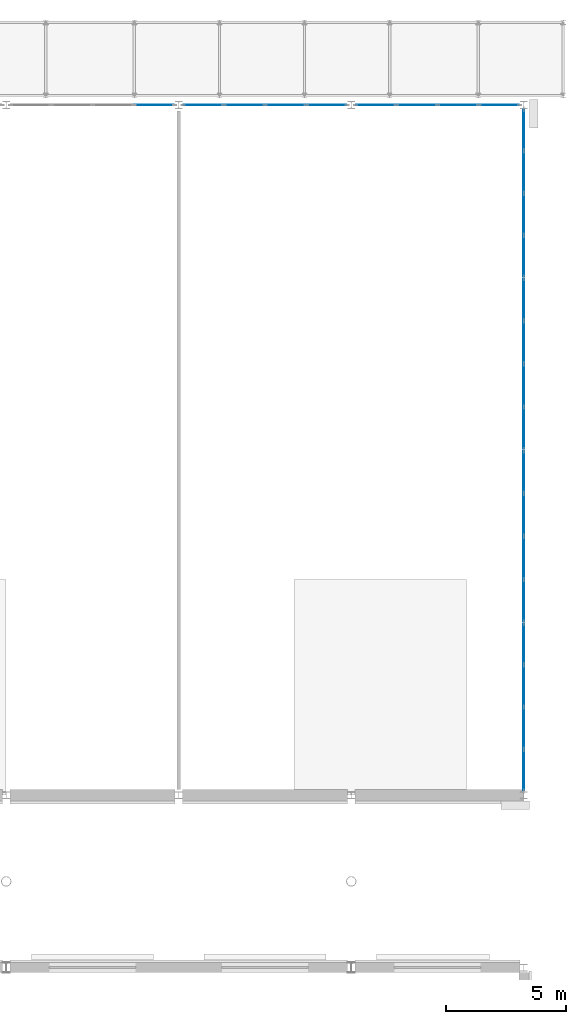
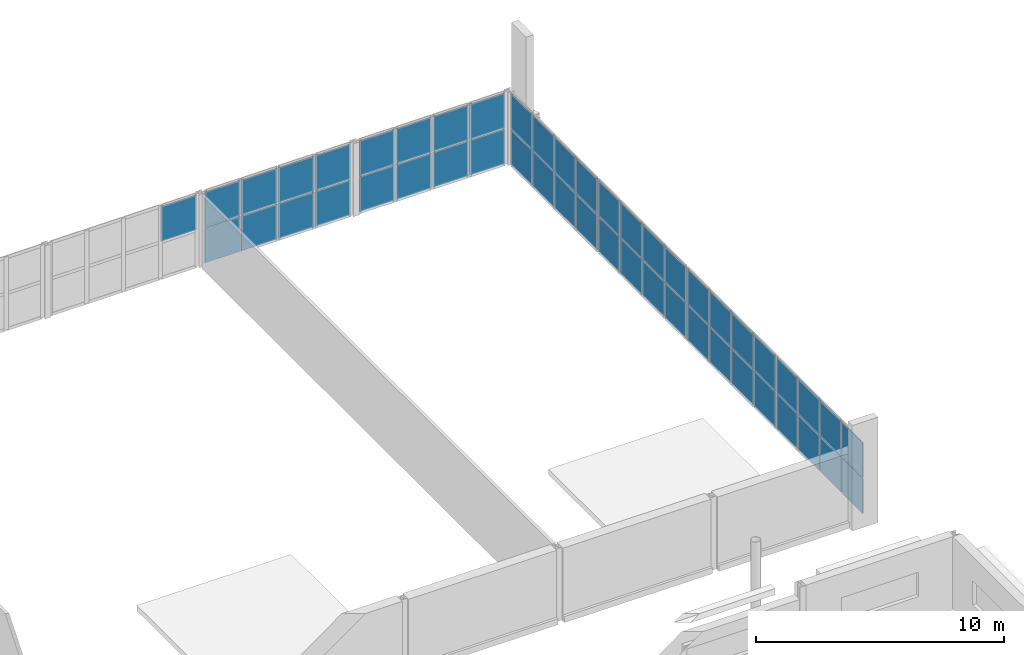
# One storey, part 62 of 124: 49 plates, 7 elements without a shape of their own.
"""IFC4 building model written with IfcOpenShell, lengths in metres."""

from ifc_helpers import new_model, si_unit, direction, frame, origin, origin_2d, place, context, subcontext, project, spatial, rectangle, extrude, material, layer, layer_set, type_object, element, aggregate, save


model = new_model("IFC4")

# Units and contexts
model_context = context("Model", 3, precision=1e-05, world=origin(), true_north=direction((0.0, 1.0)))
body_context = subcontext(model_context, "Body", "Model", "MODEL_VIEW")
ifc_project = project(units=[si_unit("LENGTHUNIT", "METRE"), si_unit("AREAUNIT", "SQUARE_METRE"), si_unit("VOLUMEUNIT", "CUBIC_METRE"), si_unit("PLANEANGLEUNIT", "RADIAN"), si_unit("MASSUNIT", "GRAM", prefix="KILO")], contexts=[model_context])

# Site, building, storey
site_placement = place(None, origin())
site = spatial("IfcSite", under=ifc_project, at=site_placement, CompositionType="ELEMENT")
building_placement = place(site_placement, origin())
building = spatial("IfcBuilding", under=site, at=building_placement, Name="Kupolbacken Congress Centre", CompositionType="ELEMENT")
storey_placement = place(building_placement, frame((0.0, 0.0, 10.800048828125)))
storey = spatial("IfcBuildingStorey", under=building, at=storey_placement, Name="L03", CompositionType="ELEMENT", Elevation=10.800048828125)

# Curtain wall, plates
ifc_material_1 = material(Name="Aluminium mullion-transom frame with glass", Category="aluminium")
curtain_wall_type = type_object("IfcCurtainWallType", Name="CW1 curtain wall 7200x3600", PredefinedType="NOTDEFINED", material=ifc_material_1)
curtain_wall_1_placement = place(storey_placement, origin())
curtain_wall_1 = element("IfcCurtainWall", 1, at=curtain_wall_1_placement, inside=storey, type_object=curtain_wall_type, Name="E/B/E/L03/297", PredefinedType="NOTDEFINED")
ifc_material_2 = material(Name="Glass", Category="glass")
ifc_layer = layer(ifc_material_2, 0.035888671875)
ifc_layer_set = layer_set([ifc_layer], Name="Glass")
plate_type = type_object("IfcPlateType", Name="GL2 glass panel 36", PredefinedType="CURTAIN_PANEL", material=ifc_layer_set)
plate_1_placement = place(storey_placement, frame((201.60009765625, 123.44384765625, 0.0498046875), z_axis=(0.0, 0.0, 1.0), x_axis=(0.0, 1.0, 0.0)))
plate_1 = element("IfcPlate", 2, at=plate_1_placement, type_object=plate_type, Name="CW1 panel 1.1", PredefinedType="CURTAIN_PANEL", context=body_context, shape_type="SweptSolid", body=[
    extrude(rectangle(XDim=1.6875, YDim=0.035888671875, at=origin_2d()), origin(), (0.0, 0.0, 1.0), 1.72509765625),
])
plate_2_placement = place(storey_placement, frame((201.60009765625, 123.44384765625, 1.824951171875), z_axis=(0.0, 0.0, 1.0), x_axis=(0.0, 1.0, 0.0)))
plate_2 = element("IfcPlate", 3, at=plate_2_placement, type_object=plate_type, Name="CW1 panel 1.2", PredefinedType="CURTAIN_PANEL", context=body_context, shape_type="SweptSolid", body=[
    extrude(rectangle(XDim=1.6875, YDim=0.035888671875, at=origin_2d()), origin(), (0.0, 0.0, 1.0), 1.72509765625),
])
plate_3_placement = place(storey_placement, frame((201.60009765625, 125.19384765625, 0.0498046875), z_axis=(0.0, 0.0, 1.0), x_axis=(0.0, 1.0, 0.0)))
plate_3 = element("IfcPlate", 4, at=plate_3_placement, type_object=plate_type, Name="CW1 panel 2.1", PredefinedType="CURTAIN_PANEL", context=body_context, shape_type="SweptSolid", body=[
    extrude(rectangle(XDim=1.71240234375, YDim=0.035888671875, at=origin_2d()), origin(), (0.0, 0.0, 1.0), 1.72509765625),
])
plate_4_placement = place(storey_placement, frame((201.60009765625, 125.19384765625, 1.824951171875), z_axis=(0.0, 0.0, 1.0), x_axis=(0.0, 1.0, 0.0)))
plate_4 = element("IfcPlate", 5, at=plate_4_placement, type_object=plate_type, Name="CW1 panel 2.2", PredefinedType="CURTAIN_PANEL", context=body_context, shape_type="SweptSolid", body=[
    extrude(rectangle(XDim=1.71240234375, YDim=0.035888671875, at=origin_2d()), origin(), (0.0, 0.0, 1.0), 1.72509765625),
])
plate_5_placement = place(storey_placement, frame((201.60009765625, 126.956298828125, 0.0498046875), z_axis=(0.0, 0.0, 1.0), x_axis=(0.0, 1.0, 0.0)))
plate_5 = element("IfcPlate", 6, at=plate_5_placement, type_object=plate_type, Name="CW1 panel 3.1", PredefinedType="CURTAIN_PANEL", context=body_context, shape_type="SweptSolid", body=[
    extrude(rectangle(XDim=1.71240234375, YDim=0.035888671875, at=origin_2d()), origin(), (0.0, 0.0, 1.0), 1.72509765625),
])
plate_6_placement = place(storey_placement, frame((201.60009765625, 126.956298828125, 1.824951171875), z_axis=(0.0, 0.0, 1.0), x_axis=(0.0, 1.0, 0.0)))
plate_6 = element("IfcPlate", 7, at=plate_6_placement, type_object=plate_type, Name="CW1 panel 3.2", PredefinedType="CURTAIN_PANEL", context=body_context, shape_type="SweptSolid", body=[
    extrude(rectangle(XDim=1.71240234375, YDim=0.035888671875, at=origin_2d()), origin(), (0.0, 0.0, 1.0), 1.72509765625),
])
plate_7_placement = place(storey_placement, frame((201.60009765625, 128.706298828125, 0.0498046875), z_axis=(0.0, 0.0, 1.0), x_axis=(0.0, 1.0, 0.0)))
plate_7 = element("IfcPlate", 8, at=plate_7_placement, type_object=plate_type, Name="CW1 panel 4.1", PredefinedType="CURTAIN_PANEL", context=body_context, shape_type="SweptSolid", body=[
    extrude(rectangle(XDim=1.6875, YDim=0.035888671875, at=origin_2d()), origin(), (0.0, 0.0, 1.0), 1.72509765625),
])
plate_8_placement = place(storey_placement, frame((201.60009765625, 128.706298828125, 1.824951171875), z_axis=(0.0, 0.0, 1.0), x_axis=(0.0, 1.0, 0.0)))
plate_8 = element("IfcPlate", 9, at=plate_8_placement, type_object=plate_type, Name="CW1 panel 4.2", PredefinedType="CURTAIN_PANEL", context=body_context, shape_type="SweptSolid", body=[
    extrude(rectangle(XDim=1.6875, YDim=0.035888671875, at=origin_2d()), origin(), (0.0, 0.0, 1.0), 1.72509765625),
])
aggregate(curtain_wall_1, [plate_1, plate_2, plate_3, plate_4, plate_5, plate_6, plate_7, plate_8])

curtain_wall_2_placement = place(storey_placement, origin())
curtain_wall_2 = element("IfcCurtainWall", 10, at=curtain_wall_2_placement, inside=storey, type_object=curtain_wall_type, Name="E/B/E/L03/298", PredefinedType="NOTDEFINED")
plate_9_placement = place(storey_placement, frame((201.60009765625, 130.512451171875, 0.0498046875), z_axis=(0.0, 0.0, 1.0), x_axis=(0.0, 1.0, 0.0)))
plate_9 = element("IfcPlate", 11, at=plate_9_placement, type_object=plate_type, Name="CW1 panel 1.1", PredefinedType="CURTAIN_PANEL", context=body_context, shape_type="SweptSolid", body=[
    extrude(rectangle(XDim=1.72509765625, YDim=0.035888671875, at=origin_2d()), origin(), (0.0, 0.0, 1.0), 1.72509765625),
])
plate_10_placement = place(storey_placement, frame((201.60009765625, 130.512451171875, 1.824951171875), z_axis=(0.0, 0.0, 1.0), x_axis=(0.0, 1.0, 0.0)))
plate_10 = element("IfcPlate", 12, at=plate_10_placement, type_object=plate_type, Name="CW1 panel 1.2", PredefinedType="CURTAIN_PANEL", context=body_context, shape_type="SweptSolid", body=[
    extrude(rectangle(XDim=1.72509765625, YDim=0.035888671875, at=origin_2d()), origin(), (0.0, 0.0, 1.0), 1.72509765625),
])
plate_11_placement = place(storey_placement, frame((201.60009765625, 132.300048828125, 0.0498046875), z_axis=(0.0, 0.0, 1.0), x_axis=(0.0, 1.0, 0.0)))
plate_11 = element("IfcPlate", 13, at=plate_11_placement, type_object=plate_type, Name="CW1 panel 2.1", PredefinedType="CURTAIN_PANEL", context=body_context, shape_type="SweptSolid", body=[
    extrude(rectangle(XDim=1.75, YDim=0.035888671875, at=origin_2d()), origin(), (0.0, 0.0, 1.0), 1.72509765625),
])
plate_12_placement = place(storey_placement, frame((201.60009765625, 132.300048828125, 1.824951171875), z_axis=(0.0, 0.0, 1.0), x_axis=(0.0, 1.0, 0.0)))
plate_12 = element("IfcPlate", 14, at=plate_12_placement, type_object=plate_type, Name="CW1 panel 2.2", PredefinedType="CURTAIN_PANEL", context=body_context, shape_type="SweptSolid", body=[
    extrude(rectangle(XDim=1.75, YDim=0.035888671875, at=origin_2d()), origin(), (0.0, 0.0, 1.0), 1.72509765625),
])
plate_13_placement = place(storey_placement, frame((201.60009765625, 134.10009765625, 0.0498046875), z_axis=(0.0, 0.0, 1.0), x_axis=(0.0, 1.0, 0.0)))
plate_13 = element("IfcPlate", 15, at=plate_13_placement, type_object=plate_type, Name="CW1 panel 3.1", PredefinedType="CURTAIN_PANEL", context=body_context, shape_type="SweptSolid", body=[
    extrude(rectangle(XDim=1.75, YDim=0.035888671875, at=origin_2d()), origin(), (0.0, 0.0, 1.0), 1.72509765625),
])
plate_14_placement = place(storey_placement, frame((201.60009765625, 134.10009765625, 1.824951171875), z_axis=(0.0, 0.0, 1.0), x_axis=(0.0, 1.0, 0.0)))
plate_14 = element("IfcPlate", 16, at=plate_14_placement, type_object=plate_type, Name="CW1 panel 3.2", PredefinedType="CURTAIN_PANEL", context=body_context, shape_type="SweptSolid", body=[
    extrude(rectangle(XDim=1.75, YDim=0.035888671875, at=origin_2d()), origin(), (0.0, 0.0, 1.0), 1.72509765625),
])
plate_15_placement = place(storey_placement, frame((201.60009765625, 135.887451171875, 0.0498046875), z_axis=(0.0, 0.0, 1.0), x_axis=(0.0, 1.0, 0.0)))
plate_15 = element("IfcPlate", 17, at=plate_15_placement, type_object=plate_type, Name="CW1 panel 4.1", PredefinedType="CURTAIN_PANEL", context=body_context, shape_type="SweptSolid", body=[
    extrude(rectangle(XDim=1.72509765625, YDim=0.035888671875, at=origin_2d()), origin(), (0.0, 0.0, 1.0), 1.72509765625),
])
plate_16_placement = place(storey_placement, frame((201.60009765625, 135.887451171875, 1.824951171875), z_axis=(0.0, 0.0, 1.0), x_axis=(0.0, 1.0, 0.0)))
plate_16 = element("IfcPlate", 18, at=plate_16_placement, type_object=plate_type, Name="CW1 panel 4.2", PredefinedType="CURTAIN_PANEL", context=body_context, shape_type="SweptSolid", body=[
    extrude(rectangle(XDim=1.72509765625, YDim=0.035888671875, at=origin_2d()), origin(), (0.0, 0.0, 1.0), 1.72509765625),
])
aggregate(curtain_wall_2, [plate_9, plate_10, plate_11, plate_12, plate_13, plate_14, plate_15, plate_16])

curtain_wall_3_placement = place(storey_placement, origin())
curtain_wall_3 = element("IfcCurtainWall", 19, at=curtain_wall_3_placement, inside=storey, type_object=curtain_wall_type, Name="E/B/E/L03/299", PredefinedType="NOTDEFINED")
plate_17_placement = place(storey_placement, frame((201.60009765625, 137.71240234375, 0.0498046875), z_axis=(0.0, 0.0, 1.0), x_axis=(0.0, 1.0, 0.0)))
plate_17 = element("IfcPlate", 20, at=plate_17_placement, type_object=plate_type, Name="CW1 panel 1.1", PredefinedType="CURTAIN_PANEL", context=body_context, shape_type="SweptSolid", body=[
    extrude(rectangle(XDim=1.72509765625, YDim=0.035888671875, at=origin_2d()), origin(), (0.0, 0.0, 1.0), 1.72509765625),
])
plate_18_placement = place(storey_placement, frame((201.60009765625, 137.71240234375, 1.824951171875), z_axis=(0.0, 0.0, 1.0), x_axis=(0.0, 1.0, 0.0)))
plate_18 = element("IfcPlate", 21, at=plate_18_placement, type_object=plate_type, Name="CW1 panel 1.2", PredefinedType="CURTAIN_PANEL", context=body_context, shape_type="SweptSolid", body=[
    extrude(rectangle(XDim=1.72509765625, YDim=0.035888671875, at=origin_2d()), origin(), (0.0, 0.0, 1.0), 1.72509765625),
])
plate_19_placement = place(storey_placement, frame((201.60009765625, 139.5, 0.0498046875), z_axis=(0.0, 0.0, 1.0), x_axis=(0.0, 1.0, 0.0)))
plate_19 = element("IfcPlate", 22, at=plate_19_placement, type_object=plate_type, Name="CW1 panel 2.1", PredefinedType="CURTAIN_PANEL", context=body_context, shape_type="SweptSolid", body=[
    extrude(rectangle(XDim=1.75, YDim=0.035888671875, at=origin_2d()), origin(), (0.0, 0.0, 1.0), 1.72509765625),
])
plate_20_placement = place(storey_placement, frame((201.60009765625, 139.5, 1.824951171875), z_axis=(0.0, 0.0, 1.0), x_axis=(0.0, 1.0, 0.0)))
plate_20 = element("IfcPlate", 23, at=plate_20_placement, type_object=plate_type, Name="CW1 panel 2.2", PredefinedType="CURTAIN_PANEL", context=body_context, shape_type="SweptSolid", body=[
    extrude(rectangle(XDim=1.75, YDim=0.035888671875, at=origin_2d()), origin(), (0.0, 0.0, 1.0), 1.72509765625),
])
plate_21_placement = place(storey_placement, frame((201.60009765625, 141.300048828125, 0.0498046875), z_axis=(0.0, 0.0, 1.0), x_axis=(0.0, 1.0, 0.0)))
plate_21 = element("IfcPlate", 24, at=plate_21_placement, type_object=plate_type, Name="CW1 panel 3.1", PredefinedType="CURTAIN_PANEL", context=body_context, shape_type="SweptSolid", body=[
    extrude(rectangle(XDim=1.75, YDim=0.035888671875, at=origin_2d()), origin(), (0.0, 0.0, 1.0), 1.72509765625),
])
plate_22_placement = place(storey_placement, frame((201.60009765625, 141.300048828125, 1.824951171875), z_axis=(0.0, 0.0, 1.0), x_axis=(0.0, 1.0, 0.0)))
plate_22 = element("IfcPlate", 25, at=plate_22_placement, type_object=plate_type, Name="CW1 panel 3.2", PredefinedType="CURTAIN_PANEL", context=body_context, shape_type="SweptSolid", body=[
    extrude(rectangle(XDim=1.75, YDim=0.035888671875, at=origin_2d()), origin(), (0.0, 0.0, 1.0), 1.72509765625),
])
plate_23_placement = place(storey_placement, frame((201.60009765625, 143.08740234375, 0.0498046875), z_axis=(0.0, 0.0, 1.0), x_axis=(0.0, 1.0, 0.0)))
plate_23 = element("IfcPlate", 26, at=plate_23_placement, type_object=plate_type, Name="CW1 panel 4.1", PredefinedType="CURTAIN_PANEL", context=body_context, shape_type="SweptSolid", body=[
    extrude(rectangle(XDim=1.72509765625, YDim=0.035888671875, at=origin_2d()), origin(), (0.0, 0.0, 1.0), 1.72509765625),
])
plate_24_placement = place(storey_placement, frame((201.60009765625, 143.08740234375, 1.824951171875), z_axis=(0.0, 0.0, 1.0), x_axis=(0.0, 1.0, 0.0)))
plate_24 = element("IfcPlate", 27, at=plate_24_placement, type_object=plate_type, Name="CW1 panel 4.2", PredefinedType="CURTAIN_PANEL", context=body_context, shape_type="SweptSolid", body=[
    extrude(rectangle(XDim=1.72509765625, YDim=0.035888671875, at=origin_2d()), origin(), (0.0, 0.0, 1.0), 1.72509765625),
])
aggregate(curtain_wall_3, [plate_17, plate_18, plate_19, plate_20, plate_21, plate_22, plate_23, plate_24])

curtain_wall_4_placement = place(storey_placement, origin())
curtain_wall_4 = element("IfcCurtainWall", 28, at=curtain_wall_4_placement, inside=storey, type_object=curtain_wall_type, Name="E/B/E/L03/300", PredefinedType="NOTDEFINED")
plate_25_placement = place(storey_placement, frame((201.60009765625, 144.893798828125, 0.0498046875), z_axis=(0.0, 0.0, 1.0), x_axis=(0.0, 1.0, 0.0)))
plate_25 = element("IfcPlate", 29, at=plate_25_placement, type_object=plate_type, Name="CW1 panel 1.1", PredefinedType="CURTAIN_PANEL", context=body_context, shape_type="SweptSolid", body=[
    extrude(rectangle(XDim=1.6875, YDim=0.035888671875, at=origin_2d()), origin(), (0.0, 0.0, 1.0), 1.72509765625),
])
plate_26_placement = place(storey_placement, frame((201.60009765625, 144.893798828125, 1.824951171875), z_axis=(0.0, 0.0, 1.0), x_axis=(0.0, 1.0, 0.0)))
plate_26 = element("IfcPlate", 30, at=plate_26_placement, type_object=plate_type, Name="CW1 panel 1.2", PredefinedType="CURTAIN_PANEL", context=body_context, shape_type="SweptSolid", body=[
    extrude(rectangle(XDim=1.6875, YDim=0.035888671875, at=origin_2d()), origin(), (0.0, 0.0, 1.0), 1.72509765625),
])
plate_27_placement = place(storey_placement, frame((201.60009765625, 146.643798828125, 0.0498046875), z_axis=(0.0, 0.0, 1.0), x_axis=(0.0, 1.0, 0.0)))
plate_27 = element("IfcPlate", 31, at=plate_27_placement, type_object=plate_type, Name="CW1 panel 2.1", PredefinedType="CURTAIN_PANEL", context=body_context, shape_type="SweptSolid", body=[
    extrude(rectangle(XDim=1.71240234375, YDim=0.035888671875, at=origin_2d()), origin(), (0.0, 0.0, 1.0), 1.72509765625),
])
plate_28_placement = place(storey_placement, frame((201.60009765625, 146.643798828125, 1.824951171875), z_axis=(0.0, 0.0, 1.0), x_axis=(0.0, 1.0, 0.0)))
plate_28 = element("IfcPlate", 32, at=plate_28_placement, type_object=plate_type, Name="CW1 panel 2.2", PredefinedType="CURTAIN_PANEL", context=body_context, shape_type="SweptSolid", body=[
    extrude(rectangle(XDim=1.71240234375, YDim=0.035888671875, at=origin_2d()), origin(), (0.0, 0.0, 1.0), 1.72509765625),
])
plate_29_placement = place(storey_placement, frame((201.60009765625, 148.40625, 0.0498046875), z_axis=(0.0, 0.0, 1.0), x_axis=(0.0, 1.0, 0.0)))
plate_29 = element("IfcPlate", 33, at=plate_29_placement, type_object=plate_type, Name="CW1 panel 3.1", PredefinedType="CURTAIN_PANEL", context=body_context, shape_type="SweptSolid", body=[
    extrude(rectangle(XDim=1.71240234375, YDim=0.035888671875, at=origin_2d()), origin(), (0.0, 0.0, 1.0), 1.72509765625),
])
plate_30_placement = place(storey_placement, frame((201.60009765625, 148.40625, 1.824951171875), z_axis=(0.0, 0.0, 1.0), x_axis=(0.0, 1.0, 0.0)))
plate_30 = element("IfcPlate", 34, at=plate_30_placement, type_object=plate_type, Name="CW1 panel 3.2", PredefinedType="CURTAIN_PANEL", context=body_context, shape_type="SweptSolid", body=[
    extrude(rectangle(XDim=1.71240234375, YDim=0.035888671875, at=origin_2d()), origin(), (0.0, 0.0, 1.0), 1.72509765625),
])
plate_31_placement = place(storey_placement, frame((201.60009765625, 150.15625, 0.0498046875), z_axis=(0.0, 0.0, 1.0), x_axis=(0.0, 1.0, 0.0)))
plate_31 = element("IfcPlate", 35, at=plate_31_placement, type_object=plate_type, Name="CW1 panel 4.1", PredefinedType="CURTAIN_PANEL", context=body_context, shape_type="SweptSolid", body=[
    extrude(rectangle(XDim=1.6875, YDim=0.035888671875, at=origin_2d()), origin(), (0.0, 0.0, 1.0), 1.72509765625),
])
plate_32_placement = place(storey_placement, frame((201.60009765625, 150.15625, 1.824951171875), z_axis=(0.0, 0.0, 1.0), x_axis=(0.0, 1.0, 0.0)))
plate_32 = element("IfcPlate", 36, at=plate_32_placement, type_object=plate_type, Name="CW1 panel 4.2", PredefinedType="CURTAIN_PANEL", context=body_context, shape_type="SweptSolid", body=[
    extrude(rectangle(XDim=1.6875, YDim=0.035888671875, at=origin_2d()), origin(), (0.0, 0.0, 1.0), 1.72509765625),
])
aggregate(curtain_wall_4, [plate_25, plate_26, plate_27, plate_28, plate_29, plate_30, plate_31, plate_32])

curtain_wall_5_placement = place(storey_placement, origin())
curtain_wall_5 = element("IfcCurtainWall", 37, at=curtain_wall_5_placement, inside=storey, type_object=curtain_wall_type, Name="E/B/N/L03/301", PredefinedType="NOTDEFINED")
plate_33_placement = place(storey_placement, frame((200.574951171875, 151.199951171875, 0.0498046875), z_axis=(0.0, 0.0, 1.0), x_axis=(-1.0, 0.0, 0.0)))
plate_33 = element("IfcPlate", 38, at=plate_33_placement, type_object=plate_type, Name="CW1 panel 1.1", PredefinedType="CURTAIN_PANEL", context=body_context, shape_type="SweptSolid", body=[
    extrude(rectangle(XDim=1.64990234375, YDim=0.035888671875, at=origin_2d()), origin(), (0.0, 0.0, 1.0), 1.72509765625),
])
plate_34_placement = place(storey_placement, frame((200.574951171875, 151.199951171875, 1.824951171875), z_axis=(0.0, 0.0, 1.0), x_axis=(-1.0, 0.0, 0.0)))
plate_34 = element("IfcPlate", 39, at=plate_34_placement, type_object=plate_type, Name="CW1 panel 1.2", PredefinedType="CURTAIN_PANEL", context=body_context, shape_type="SweptSolid", body=[
    extrude(rectangle(XDim=1.64990234375, YDim=0.035888671875, at=origin_2d()), origin(), (0.0, 0.0, 1.0), 1.72509765625),
])
plate_35_placement = place(storey_placement, frame((198.862548828125, 151.199951171875, 0.0498046875), z_axis=(0.0, 0.0, 1.0), x_axis=(-1.0, 0.0, 0.0)))
plate_35 = element("IfcPlate", 40, at=plate_35_placement, type_object=plate_type, Name="CW1 panel 2.1", PredefinedType="CURTAIN_PANEL", context=body_context, shape_type="SweptSolid", body=[
    extrude(rectangle(XDim=1.675048828125, YDim=0.035888671875, at=origin_2d()), origin(), (0.0, 0.0, 1.0), 1.72509765625),
])
plate_36_placement = place(storey_placement, frame((198.862548828125, 151.199951171875, 1.824951171875), z_axis=(0.0, 0.0, 1.0), x_axis=(-1.0, 0.0, 0.0)))
plate_36 = element("IfcPlate", 41, at=plate_36_placement, type_object=plate_type, Name="CW1 panel 2.2", PredefinedType="CURTAIN_PANEL", context=body_context, shape_type="SweptSolid", body=[
    extrude(rectangle(XDim=1.675048828125, YDim=0.035888671875, at=origin_2d()), origin(), (0.0, 0.0, 1.0), 1.72509765625),
])
plate_37_placement = place(storey_placement, frame((197.137451171875, 151.199951171875, 0.0498046875), z_axis=(0.0, 0.0, 1.0), x_axis=(-1.0, 0.0, 0.0)))
plate_37 = element("IfcPlate", 42, at=plate_37_placement, type_object=plate_type, Name="CW1 panel 3.1", PredefinedType="CURTAIN_PANEL", context=body_context, shape_type="SweptSolid", body=[
    extrude(rectangle(XDim=1.675048828125, YDim=0.035888671875, at=origin_2d()), origin(), (0.0, 0.0, 1.0), 1.72509765625),
])
plate_38_placement = place(storey_placement, frame((197.137451171875, 151.199951171875, 1.824951171875), z_axis=(0.0, 0.0, 1.0), x_axis=(-1.0, 0.0, 0.0)))
plate_38 = element("IfcPlate", 43, at=plate_38_placement, type_object=plate_type, Name="CW1 panel 3.2", PredefinedType="CURTAIN_PANEL", context=body_context, shape_type="SweptSolid", body=[
    extrude(rectangle(XDim=1.675048828125, YDim=0.035888671875, at=origin_2d()), origin(), (0.0, 0.0, 1.0), 1.72509765625),
])
plate_39_placement = place(storey_placement, frame((195.425048828125, 151.199951171875, 0.0498046875), z_axis=(0.0, 0.0, 1.0), x_axis=(-1.0, 0.0, 0.0)))
plate_39 = element("IfcPlate", 44, at=plate_39_placement, type_object=plate_type, Name="CW1 panel 4.1", PredefinedType="CURTAIN_PANEL", context=body_context, shape_type="SweptSolid", body=[
    extrude(rectangle(XDim=1.64990234375, YDim=0.035888671875, at=origin_2d()), origin(), (0.0, 0.0, 1.0), 1.72509765625),
])
plate_40_placement = place(storey_placement, frame((195.425048828125, 151.199951171875, 1.824951171875), z_axis=(0.0, 0.0, 1.0), x_axis=(-1.0, 0.0, 0.0)))
plate_40 = element("IfcPlate", 45, at=plate_40_placement, type_object=plate_type, Name="CW1 panel 4.2", PredefinedType="CURTAIN_PANEL", context=body_context, shape_type="SweptSolid", body=[
    extrude(rectangle(XDim=1.64990234375, YDim=0.035888671875, at=origin_2d()), origin(), (0.0, 0.0, 1.0), 1.72509765625),
])
aggregate(curtain_wall_5, [plate_33, plate_34, plate_35, plate_36, plate_37, plate_38, plate_39, plate_40])

curtain_wall_6_placement = place(storey_placement, origin())
curtain_wall_6 = element("IfcCurtainWall", 46, at=curtain_wall_6_placement, inside=storey, type_object=curtain_wall_type, Name="E/B/N/L03/302", PredefinedType="NOTDEFINED")
plate_41_placement = place(storey_placement, frame((193.375, 151.199951171875, 0.0498046875), z_axis=(0.0, 0.0, 1.0), x_axis=(-1.0, 0.0, 0.0)))
plate_41 = element("IfcPlate", 47, at=plate_41_placement, type_object=plate_type, Name="CW1 panel 1.1", PredefinedType="CURTAIN_PANEL", context=body_context, shape_type="SweptSolid", body=[
    extrude(rectangle(XDim=1.64990234375, YDim=0.035888671875, at=origin_2d()), origin(), (0.0, 0.0, 1.0), 1.72509765625),
])
plate_42_placement = place(storey_placement, frame((193.375, 151.199951171875, 1.824951171875), z_axis=(0.0, 0.0, 1.0), x_axis=(-1.0, 0.0, 0.0)))
plate_42 = element("IfcPlate", 48, at=plate_42_placement, type_object=plate_type, Name="CW1 panel 1.2", PredefinedType="CURTAIN_PANEL", context=body_context, shape_type="SweptSolid", body=[
    extrude(rectangle(XDim=1.64990234375, YDim=0.035888671875, at=origin_2d()), origin(), (0.0, 0.0, 1.0), 1.72509765625),
])
plate_43_placement = place(storey_placement, frame((191.66259765625, 151.199951171875, 0.0498046875), z_axis=(0.0, 0.0, 1.0), x_axis=(-1.0, 0.0, 0.0)))
plate_43 = element("IfcPlate", 49, at=plate_43_placement, type_object=plate_type, Name="CW1 panel 2.1", PredefinedType="CURTAIN_PANEL", context=body_context, shape_type="SweptSolid", body=[
    extrude(rectangle(XDim=1.675048828125, YDim=0.035888671875, at=origin_2d()), origin(), (0.0, 0.0, 1.0), 1.72509765625),
])
plate_44_placement = place(storey_placement, frame((191.66259765625, 151.199951171875, 1.824951171875), z_axis=(0.0, 0.0, 1.0), x_axis=(-1.0, 0.0, 0.0)))
plate_44 = element("IfcPlate", 50, at=plate_44_placement, type_object=plate_type, Name="CW1 panel 2.2", PredefinedType="CURTAIN_PANEL", context=body_context, shape_type="SweptSolid", body=[
    extrude(rectangle(XDim=1.675048828125, YDim=0.035888671875, at=origin_2d()), origin(), (0.0, 0.0, 1.0), 1.72509765625),
])
plate_45_placement = place(storey_placement, frame((189.9375, 151.199951171875, 0.0498046875), z_axis=(0.0, 0.0, 1.0), x_axis=(-1.0, 0.0, 0.0)))
plate_45 = element("IfcPlate", 51, at=plate_45_placement, type_object=plate_type, Name="CW1 panel 3.1", PredefinedType="CURTAIN_PANEL", context=body_context, shape_type="SweptSolid", body=[
    extrude(rectangle(XDim=1.675048828125, YDim=0.035888671875, at=origin_2d()), origin(), (0.0, 0.0, 1.0), 1.72509765625),
])
plate_46_placement = place(storey_placement, frame((189.9375, 151.199951171875, 1.824951171875), z_axis=(0.0, 0.0, 1.0), x_axis=(-1.0, 0.0, 0.0)))
plate_46 = element("IfcPlate", 52, at=plate_46_placement, type_object=plate_type, Name="CW1 panel 3.2", PredefinedType="CURTAIN_PANEL", context=body_context, shape_type="SweptSolid", body=[
    extrude(rectangle(XDim=1.675048828125, YDim=0.035888671875, at=origin_2d()), origin(), (0.0, 0.0, 1.0), 1.72509765625),
])
plate_47_placement = place(storey_placement, frame((188.22509765625, 151.199951171875, 0.0498046875), z_axis=(0.0, 0.0, 1.0), x_axis=(-1.0, 0.0, 0.0)))
plate_47 = element("IfcPlate", 53, at=plate_47_placement, type_object=plate_type, Name="CW1 panel 4.1", PredefinedType="CURTAIN_PANEL", context=body_context, shape_type="SweptSolid", body=[
    extrude(rectangle(XDim=1.64990234375, YDim=0.035888671875, at=origin_2d()), origin(), (0.0, 0.0, 1.0), 1.72509765625),
])
plate_48_placement = place(storey_placement, frame((188.22509765625, 151.199951171875, 1.824951171875), z_axis=(0.0, 0.0, 1.0), x_axis=(-1.0, 0.0, 0.0)))
plate_48 = element("IfcPlate", 54, at=plate_48_placement, type_object=plate_type, Name="CW1 panel 4.2", PredefinedType="CURTAIN_PANEL", context=body_context, shape_type="SweptSolid", body=[
    extrude(rectangle(XDim=1.64990234375, YDim=0.035888671875, at=origin_2d()), origin(), (0.0, 0.0, 1.0), 1.72509765625),
])
aggregate(curtain_wall_6, [plate_41, plate_42, plate_43, plate_44, plate_45, plate_46, plate_47, plate_48])

# Curtain wall, plate
curtain_wall_7_placement = place(storey_placement, origin())
curtain_wall_7 = element("IfcCurtainWall", 55, at=curtain_wall_7_placement, inside=storey, type_object=curtain_wall_type, Name="E/B/N/L03/303", PredefinedType="NOTDEFINED")
plate_49_placement = place(storey_placement, frame((186.175048828125, 151.199951171875, 1.824951171875), z_axis=(0.0, 0.0, 1.0), x_axis=(-1.0, 0.0, 0.0)))
plate_49 = element("IfcPlate", 56, at=plate_49_placement, type_object=plate_type, Name="CW1 panel 1.2", PredefinedType="CURTAIN_PANEL", context=body_context, shape_type="SweptSolid", body=[
    extrude(rectangle(XDim=1.64990234375, YDim=0.035888671875, at=origin_2d()), origin(), (0.0, 0.0, 1.0), 1.72509765625),
])
aggregate(curtain_wall_7, [plate_49])

save(model, "model.ifc")
